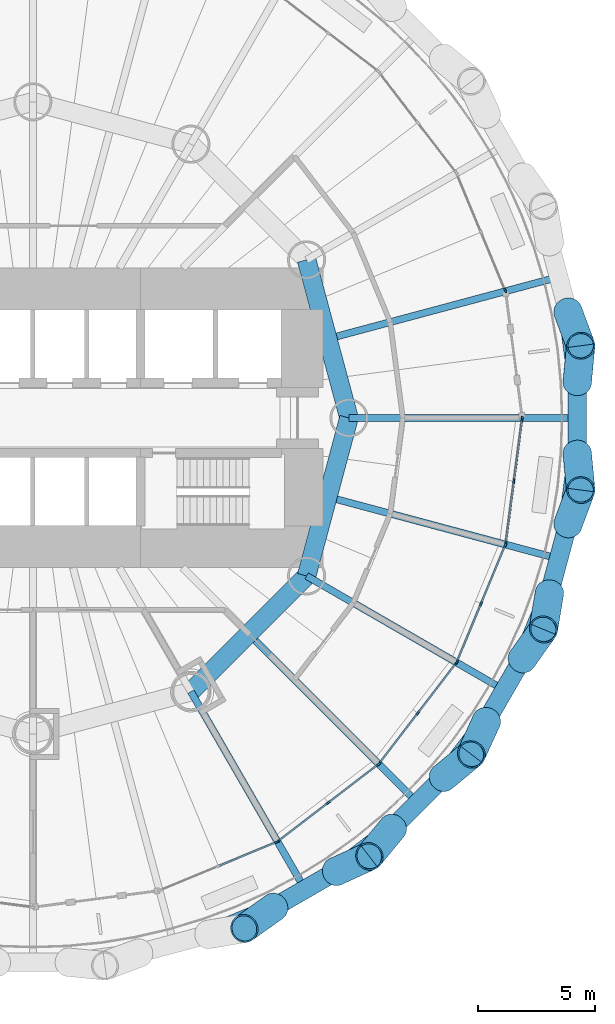
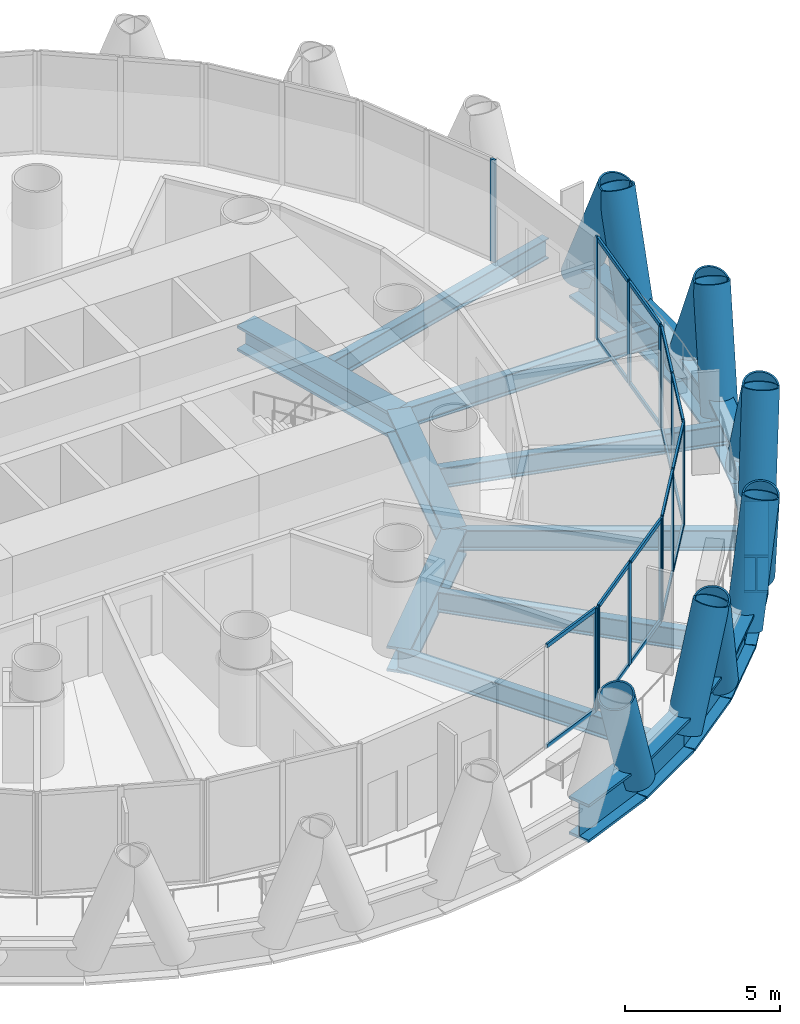
# One storey, part 4 of 15: 43 members, 20 beams, 6 elements without a shape of their own.
"""IFC4 building model written with IfcOpenShell, lengths in metres."""

from ifc_helpers import new_model, si_unit, direction, frame, origin, origin_2d, place, context, subcontext, project, spatial, rectangle, hollow_circle, i_section, extrude, material, material_profile, profile_set, type_object, element, aggregate, save


model = new_model("IFC4")

# Units and contexts
model_context = context("Model", 3, precision=1e-05, world=origin(), true_north=direction((0.0, 1.0)))
body_context = subcontext(model_context, "Body", "Model", "MODEL_VIEW")
ifc_project = project(units=[si_unit("LENGTHUNIT", "METRE"), si_unit("AREAUNIT", "SQUARE_METRE"), si_unit("VOLUMEUNIT", "CUBIC_METRE"), si_unit("PLANEANGLEUNIT", "RADIAN"), si_unit("MASSUNIT", "GRAM", prefix="KILO")], contexts=[model_context])

# Site, building, storey
site_placement = place(None, origin())
site = spatial("IfcSite", under=ifc_project, at=site_placement, CompositionType="ELEMENT")
building_placement = place(site_placement, origin())
building = spatial("IfcBuilding", under=site, at=building_placement, Name="Qaws Media Tower", CompositionType="ELEMENT")
storey_placement = place(building_placement, frame((0.0, 0.0, 30.199951171875)))
storey = spatial("IfcBuildingStorey", under=building, at=storey_placement, Name="L05", CompositionType="ELEMENT", Elevation=30.199951171875)

# Curtain wall, member
ifc_material_1 = material(Name="Aluminium and clear glass", Category="aluminium")
curtain_wall_type = type_object("IfcCurtainWallType", Name="Unitised curtain wall CW-A", PredefinedType="NOTDEFINED", material=ifc_material_1)
curtain_wall_1_placement = place(storey_placement, origin())
curtain_wall_1 = element("IfcCurtainWall", 1, at=curtain_wall_1_placement, inside=storey, type_object=curtain_wall_type, Name="CWA curtain wall L05-02", PredefinedType="NOTDEFINED")
ifc_material_2 = material(Name="Aluminium mullion", Category="aluminium")
ifc_material_profile_1 = material_profile(ifc_material_2, rectangle(XDim=0.080078125, YDim=0.199951171875, at=origin_2d()), Name="80x200")
ifc_profile_set_1 = profile_set([ifc_material_profile_1], Name="Aluminium mullion")
member_type_1 = type_object("IfcMemberType", Name="Curtain wall mullion 80x200", PredefinedType="MULLION", material=ifc_profile_set_1)
member_1_placement = place(storey_placement, frame((80.172607421875, 55.4462890625, 0.0), z_axis=(0.0, 0.0, 1.0), x_axis=(-0.92387952266, -0.382683456149, 0.0)))
member_1 = element("IfcMember", 2, at=member_1_placement, type_object=member_type_1, Name="CWA mullion 1", PredefinedType="MULLION", context=body_context, shape_type="SweptSolid", body=[
    extrude(rectangle(XDim=0.080078125, YDim=0.199951171875, at=origin_2d()), origin(), (0.0, 0.0, 1.0), 4.0400390625),
])
aggregate(curtain_wall_1, [member_1])

curtain_wall_2_placement = place(storey_placement, origin())
curtain_wall_2 = element("IfcCurtainWall", 3, at=curtain_wall_2_placement, inside=storey, type_object=curtain_wall_type, Name="CWA curtain wall L05-20", PredefinedType="NOTDEFINED")
member_2_placement = place(storey_placement, frame((70.4130859375, 31.884765625, 0.0), z_axis=(0.0, 0.0, 1.0), x_axis=(-0.382683456149, 0.92387952266, 0.0)))
member_2 = element("IfcMember", 4, at=member_2_placement, type_object=member_type_1, Name="CWA mullion 3", PredefinedType="MULLION", context=body_context, shape_type="SweptSolid", body=[
    extrude(rectangle(XDim=0.080078125, YDim=0.199951171875, at=origin_2d()), origin(), (0.0, 0.0, 1.0), 4.0400390625),
])

# Curtain wall, members
curtain_wall_3_placement = place(storey_placement, origin())
curtain_wall_3 = element("IfcCurtainWall", 5, at=curtain_wall_3_placement, inside=storey, type_object=curtain_wall_type, Name="CWA curtain wall L05-21", PredefinedType="NOTDEFINED")
member_3_placement = place(storey_placement, frame((70.481689453125, 31.92431640625, 0.0), z_axis=(0.0, 0.0, 1.0), x_axis=(-0.608761380338, 0.793353377638, 0.0)))
member_3 = element("IfcMember", 6, at=member_3_placement, type_object=member_type_1, Name="CWA mullion 1", PredefinedType="MULLION", context=body_context, shape_type="SweptSolid", body=[
    extrude(rectangle(XDim=0.080078125, YDim=0.199951171875, at=origin_2d()), origin(), (0.0, 0.0, 1.0), 4.0400390625),
])
member_4_placement = place(storey_placement, frame((72.6142578125, 33.560791015625, 0.0), z_axis=(0.0, 0.0, 1.0), x_axis=(-0.608761380338, 0.793353377638, 0.0)))
member_4 = element("IfcMember", 7, at=member_4_placement, type_object=member_type_1, Name="CWA mullion 2", PredefinedType="MULLION", context=body_context, shape_type="SweptSolid", body=[
    extrude(rectangle(XDim=0.080078125, YDim=0.199951171875, at=origin_2d()), origin(), (0.0, 0.0, 1.0), 4.0400390625),
])
member_5_placement = place(storey_placement, frame((74.746826171875, 35.197021484375, 0.0), z_axis=(0.0, 0.0, 1.0), x_axis=(-0.608761380338, 0.793353377638, 0.0)))
member_5 = element("IfcMember", 8, at=member_5_placement, type_object=member_type_1, Name="CWA mullion 3", PredefinedType="MULLION", context=body_context, shape_type="SweptSolid", body=[
    extrude(rectangle(XDim=0.080078125, YDim=0.199951171875, at=origin_2d()), origin(), (0.0, 0.0, 1.0), 4.0400390625),
])

curtain_wall_4_placement = place(storey_placement, origin())
curtain_wall_4 = element("IfcCurtainWall", 9, at=curtain_wall_4_placement, inside=storey, type_object=curtain_wall_type, Name="CWA curtain wall L05-22", PredefinedType="NOTDEFINED")
member_6_placement = place(storey_placement, frame((74.802978515625, 35.253173828125, 0.0), z_axis=(0.0, 0.0, 1.0), x_axis=(-0.793353377638, 0.608761380338, 0.0)))
member_6 = element("IfcMember", 10, at=member_6_placement, type_object=member_type_1, Name="CWA mullion 1", PredefinedType="MULLION", context=body_context, shape_type="SweptSolid", body=[
    extrude(rectangle(XDim=0.080078125, YDim=0.199951171875, at=origin_2d()), origin(), (0.0, 0.0, 1.0), 4.0400390625),
])
member_7_placement = place(storey_placement, frame((76.439208984375, 37.3857421875, 0.0), z_axis=(0.0, 0.0, 1.0), x_axis=(-0.793353377638, 0.608761380338, 0.0)))
member_7 = element("IfcMember", 11, at=member_7_placement, type_object=member_type_1, Name="CWA mullion 2", PredefinedType="MULLION", context=body_context, shape_type="SweptSolid", body=[
    extrude(rectangle(XDim=0.080078125, YDim=0.199951171875, at=origin_2d()), origin(), (0.0, 0.0, 1.0), 4.0400390625),
])
member_8_placement = place(storey_placement, frame((78.07568359375, 39.518310546875, 0.0), z_axis=(0.0, 0.0, 1.0), x_axis=(-0.793353377638, 0.608761380338, 0.0)))
member_8 = element("IfcMember", 12, at=member_8_placement, type_object=member_type_1, Name="CWA mullion 3", PredefinedType="MULLION", context=body_context, shape_type="SweptSolid", body=[
    extrude(rectangle(XDim=0.080078125, YDim=0.199951171875, at=origin_2d()), origin(), (0.0, 0.0, 1.0), 4.0400390625),
])

curtain_wall_5_placement = place(storey_placement, origin())
curtain_wall_5 = element("IfcCurtainWall", 13, at=curtain_wall_5_placement, inside=storey, type_object=curtain_wall_type, Name="CWA curtain wall L05-23", PredefinedType="NOTDEFINED")
member_9_placement = place(storey_placement, frame((78.115234375, 39.5869140625, 0.0), z_axis=(0.0, 0.0, 1.0), x_axis=(-0.92387952266, 0.382683456149, 0.0)))
member_9 = element("IfcMember", 14, at=member_9_placement, type_object=member_type_1, Name="CWA mullion 1", PredefinedType="MULLION", context=body_context, shape_type="SweptSolid", body=[
    extrude(rectangle(XDim=0.080078125, YDim=0.199951171875, at=origin_2d()), origin(), (0.0, 0.0, 1.0), 4.0400390625),
])
member_10_placement = place(storey_placement, frame((79.143798828125, 42.0703125, 0.0), z_axis=(0.0, 0.0, 1.0), x_axis=(-0.92387952266, 0.382683456149, 0.0)))
member_10 = element("IfcMember", 15, at=member_10_placement, type_object=member_type_1, Name="CWA mullion 2", PredefinedType="MULLION", context=body_context, shape_type="SweptSolid", body=[
    extrude(rectangle(XDim=0.080078125, YDim=0.199951171875, at=origin_2d()), origin(), (0.0, 0.0, 1.0), 4.0400390625),
])
member_11_placement = place(storey_placement, frame((80.172607421875, 44.5537109375, 0.0), z_axis=(0.0, 0.0, 1.0), x_axis=(-0.92387952266, 0.382683456149, 0.0)))
member_11 = element("IfcMember", 16, at=member_11_placement, type_object=member_type_1, Name="CWA mullion 3", PredefinedType="MULLION", context=body_context, shape_type="SweptSolid", body=[
    extrude(rectangle(XDim=0.080078125, YDim=0.199951171875, at=origin_2d()), origin(), (0.0, 0.0, 1.0), 4.0400390625),
])

curtain_wall_6_placement = place(storey_placement, origin())
curtain_wall_6 = element("IfcCurtainWall", 17, at=curtain_wall_6_placement, inside=storey, type_object=curtain_wall_type, Name="CWA curtain wall L05-24", PredefinedType="NOTDEFINED")
member_12_placement = place(storey_placement, frame((80.193115234375, 44.63037109375, 0.0), z_axis=(0.0, 0.0, 1.0), x_axis=(-0.991444866709, 0.130526151694, 0.0)))
member_12 = element("IfcMember", 18, at=member_12_placement, type_object=member_type_1, Name="CWA mullion 1", PredefinedType="MULLION", context=body_context, shape_type="SweptSolid", body=[
    extrude(rectangle(XDim=0.080078125, YDim=0.199951171875, at=origin_2d()), origin(), (0.0, 0.0, 1.0), 4.0400390625),
])
member_13_placement = place(storey_placement, frame((80.5439453125, 47.29541015625, 0.0), z_axis=(0.0, 0.0, 1.0), x_axis=(-0.991444866709, 0.130526151694, 0.0)))
member_13 = element("IfcMember", 19, at=member_13_placement, type_object=member_type_1, Name="CWA mullion 2", PredefinedType="MULLION", context=body_context, shape_type="SweptSolid", body=[
    extrude(rectangle(XDim=0.080078125, YDim=0.199951171875, at=origin_2d()), origin(), (0.0, 0.0, 1.0), 4.0400390625),
])
member_14_placement = place(storey_placement, frame((80.894775390625, 49.96044921875, 0.0), z_axis=(0.0, 0.0, 1.0), x_axis=(-0.991444866709, 0.130526151694, 0.0)))
member_14 = element("IfcMember", 20, at=member_14_placement, type_object=member_type_1, Name="CWA mullion 3", PredefinedType="MULLION", context=body_context, shape_type="SweptSolid", body=[
    extrude(rectangle(XDim=0.080078125, YDim=0.199951171875, at=origin_2d()), origin(), (0.0, 0.0, 1.0), 4.0400390625),
])

# Member
ifc_material_3 = material(Name="Aluminium transom", Category="aluminium")
ifc_material_profile_2 = material_profile(ifc_material_3, rectangle(XDim=0.080078125, YDim=0.159912109375, at=origin_2d()), Name="80x160")
ifc_profile_set_2 = profile_set([ifc_material_profile_2], Name="Aluminium transom")
member_type_2 = type_object("IfcMemberType", Name="Curtain wall transom 80x160", PredefinedType="USERDEFINED", material=ifc_profile_set_2)
member_15_placement = place(storey_placement, frame((67.966552734375, 30.871337890625, 0.0400390625), z_axis=(0.923875350489, 0.382693528503, 0.0), x_axis=(-0.382693528503, 0.923875350489, 0.0)))
member_15 = element("IfcMember", 21, at=member_15_placement, type_object=member_type_2, Name="CWA transom 2.1", ObjectType="TRANSOM", PredefinedType="USERDEFINED", context=body_context, shape_type="SweptSolid", body=[
    extrude(rectangle(XDim=0.080078125, YDim=0.159912109375, at=origin_2d()), origin(), (0.0, 0.0, 1.0), 2.60791015625),
])

member_16_placement = place(storey_placement, frame((67.966552734375, 30.871337890625, 4.0), z_axis=(0.923875350489, 0.382693528503, 0.0), x_axis=(-0.382693528503, 0.923875350489, 0.0)))
member_16 = element("IfcMember", 22, at=member_16_placement, type_object=member_type_2, Name="CWA transom 2.2", ObjectType="TRANSOM", PredefinedType="USERDEFINED", context=body_context, shape_type="SweptSolid", body=[
    extrude(rectangle(XDim=0.080078125, YDim=0.159912109375, at=origin_2d()), origin(), (0.0, 0.0, 1.0), 2.60791015625),
])

aggregate(curtain_wall_2, [member_2, member_15, member_16])

member_17_placement = place(storey_placement, frame((70.513427734375, 31.94873046875, 0.0400390625), z_axis=(0.793357690605, 0.608755759528, 0.0), x_axis=(-0.608755759528, 0.793357690605, 0.0)))
member_17 = element("IfcMember", 23, at=member_17_placement, type_object=member_type_2, Name="CWA transom 1.1", ObjectType="TRANSOM", PredefinedType="USERDEFINED", context=body_context, shape_type="SweptSolid", body=[
    extrude(rectangle(XDim=0.080078125, YDim=0.159912109375, at=origin_2d()), origin(), (0.0, 0.0, 1.0), 2.60791015625),
])

member_18_placement = place(storey_placement, frame((70.513427734375, 31.94873046875, 4.0), z_axis=(0.793357690605, 0.608755759528, 0.0), x_axis=(-0.608755759528, 0.793357690605, 0.0)))
member_18 = element("IfcMember", 24, at=member_18_placement, type_object=member_type_2, Name="CWA transom 1.2", ObjectType="TRANSOM", PredefinedType="USERDEFINED", context=body_context, shape_type="SweptSolid", body=[
    extrude(rectangle(XDim=0.080078125, YDim=0.159912109375, at=origin_2d()), origin(), (0.0, 0.0, 1.0), 2.60791015625),
])

member_19_placement = place(storey_placement, frame((72.64599609375, 33.585205078125, 0.0400390625), z_axis=(0.793357690605, 0.608755759528, 0.0), x_axis=(-0.608755759528, 0.793357690605, 0.0)))
member_19 = element("IfcMember", 25, at=member_19_placement, type_object=member_type_2, Name="CWA transom 2.1", ObjectType="TRANSOM", PredefinedType="USERDEFINED", context=body_context, shape_type="SweptSolid", body=[
    extrude(rectangle(XDim=0.080078125, YDim=0.159912109375, at=origin_2d()), origin(), (0.0, 0.0, 1.0), 2.60791015625),
])

member_20_placement = place(storey_placement, frame((72.64599609375, 33.585205078125, 4.0), z_axis=(0.793357690605, 0.608755759528, 0.0), x_axis=(-0.608755759528, 0.793357690605, 0.0)))
member_20 = element("IfcMember", 26, at=member_20_placement, type_object=member_type_2, Name="CWA transom 2.2", ObjectType="TRANSOM", PredefinedType="USERDEFINED", context=body_context, shape_type="SweptSolid", body=[
    extrude(rectangle(XDim=0.080078125, YDim=0.159912109375, at=origin_2d()), origin(), (0.0, 0.0, 1.0), 2.60791015625),
])

aggregate(curtain_wall_3, [member_3, member_4, member_5, member_17, member_18, member_19, member_20])

member_21_placement = place(storey_placement, frame((74.8271484375, 35.284912109375, 0.0400390625), z_axis=(0.608755759528, 0.793357690605, 0.0), x_axis=(-0.793357690605, 0.608755759528, 0.0)))
member_21 = element("IfcMember", 27, at=member_21_placement, type_object=member_type_2, Name="CWA transom 1.1", ObjectType="TRANSOM", PredefinedType="USERDEFINED", context=body_context, shape_type="SweptSolid", body=[
    extrude(rectangle(XDim=0.080078125, YDim=0.159912109375, at=origin_2d()), origin(), (0.0, 0.0, 1.0), 2.60791015625),
])

member_22_placement = place(storey_placement, frame((74.8271484375, 35.284912109375, 4.0), z_axis=(0.608755759528, 0.793357690605, 0.0), x_axis=(-0.793357690605, 0.608755759528, 0.0)))
member_22 = element("IfcMember", 28, at=member_22_placement, type_object=member_type_2, Name="CWA transom 1.2", ObjectType="TRANSOM", PredefinedType="USERDEFINED", context=body_context, shape_type="SweptSolid", body=[
    extrude(rectangle(XDim=0.080078125, YDim=0.159912109375, at=origin_2d()), origin(), (0.0, 0.0, 1.0), 2.60791015625),
])

member_23_placement = place(storey_placement, frame((76.463623046875, 37.41748046875, 0.0400390625), z_axis=(0.608755759528, 0.793357690605, 0.0), x_axis=(-0.793357690605, 0.608755759528, 0.0)))
member_23 = element("IfcMember", 29, at=member_23_placement, type_object=member_type_2, Name="CWA transom 2.1", ObjectType="TRANSOM", PredefinedType="USERDEFINED", context=body_context, shape_type="SweptSolid", body=[
    extrude(rectangle(XDim=0.080078125, YDim=0.159912109375, at=origin_2d()), origin(), (0.0, 0.0, 1.0), 2.60791015625),
])

member_24_placement = place(storey_placement, frame((76.463623046875, 37.41748046875, 4.0), z_axis=(0.608755759528, 0.793357690605, 0.0), x_axis=(-0.793357690605, 0.608755759528, 0.0)))
member_24 = element("IfcMember", 30, at=member_24_placement, type_object=member_type_2, Name="CWA transom 2.2", ObjectType="TRANSOM", PredefinedType="USERDEFINED", context=body_context, shape_type="SweptSolid", body=[
    extrude(rectangle(XDim=0.080078125, YDim=0.159912109375, at=origin_2d()), origin(), (0.0, 0.0, 1.0), 2.60791015625),
])

aggregate(curtain_wall_4, [member_6, member_7, member_8, member_21, member_22, member_23, member_24])

member_25_placement = place(storey_placement, frame((78.130615234375, 39.6240234375, 0.0400390625), z_axis=(0.382693528503, 0.923875350489, 0.0), x_axis=(-0.923875350489, 0.382693528503, 0.0)))
member_25 = element("IfcMember", 31, at=member_25_placement, type_object=member_type_2, Name="CWA transom 1.1", ObjectType="TRANSOM", PredefinedType="USERDEFINED", context=body_context, shape_type="SweptSolid", body=[
    extrude(rectangle(XDim=0.080078125, YDim=0.159912109375, at=origin_2d()), origin(), (0.0, 0.0, 1.0), 2.60791015625),
])

member_26_placement = place(storey_placement, frame((78.130615234375, 39.6240234375, 4.0), z_axis=(0.382693528503, 0.923875350489, 0.0), x_axis=(-0.923875350489, 0.382693528503, 0.0)))
member_26 = element("IfcMember", 32, at=member_26_placement, type_object=member_type_2, Name="CWA transom 1.2", ObjectType="TRANSOM", PredefinedType="USERDEFINED", context=body_context, shape_type="SweptSolid", body=[
    extrude(rectangle(XDim=0.080078125, YDim=0.159912109375, at=origin_2d()), origin(), (0.0, 0.0, 1.0), 2.60791015625),
])

member_27_placement = place(storey_placement, frame((79.1591796875, 42.107177734375, 0.0400390625), z_axis=(0.382660432893, 0.923889058869, 0.0), x_axis=(-0.923889058869, 0.382660432893, 0.0)))
member_27 = element("IfcMember", 33, at=member_27_placement, type_object=member_type_2, Name="CWA transom 2.1", ObjectType="TRANSOM", PredefinedType="USERDEFINED", context=body_context, shape_type="SweptSolid", body=[
    extrude(rectangle(XDim=0.080078125, YDim=0.159912109375, at=origin_2d()), origin(), (0.0, 0.0, 1.0), 2.608154296875),
])

member_28_placement = place(storey_placement, frame((79.1591796875, 42.107177734375, 4.0), z_axis=(0.382660432893, 0.923889058869, 0.0), x_axis=(-0.923889058869, 0.382660432893, 0.0)))
member_28 = element("IfcMember", 34, at=member_28_placement, type_object=member_type_2, Name="CWA transom 2.2", ObjectType="TRANSOM", PredefinedType="USERDEFINED", context=body_context, shape_type="SweptSolid", body=[
    extrude(rectangle(XDim=0.080078125, YDim=0.159912109375, at=origin_2d()), origin(), (0.0, 0.0, 1.0), 2.608154296875),
])

aggregate(curtain_wall_5, [member_9, member_10, member_11, member_25, member_26, member_27, member_28])

member_29_placement = place(storey_placement, frame((80.1982421875, 44.669921875, 0.0400390625), z_axis=(0.130587695544, 0.991436762367, 0.0), x_axis=(-0.991436762367, 0.130587695544, 0.0)))
member_29 = element("IfcMember", 35, at=member_29_placement, type_object=member_type_2, Name="CWA transom 1.1", ObjectType="TRANSOM", PredefinedType="USERDEFINED", context=body_context, shape_type="SweptSolid", body=[
    extrude(rectangle(XDim=0.080078125, YDim=0.159912109375, at=origin_2d()), origin(), (0.0, 0.0, 1.0), 2.60791015625),
])

member_30_placement = place(storey_placement, frame((80.1982421875, 44.669921875, 4.0), z_axis=(0.130587695544, 0.991436762367, 0.0), x_axis=(-0.991436762367, 0.130587695544, 0.0)))
member_30 = element("IfcMember", 36, at=member_30_placement, type_object=member_type_2, Name="CWA transom 1.2", ObjectType="TRANSOM", PredefinedType="USERDEFINED", context=body_context, shape_type="SweptSolid", body=[
    extrude(rectangle(XDim=0.080078125, YDim=0.159912109375, at=origin_2d()), origin(), (0.0, 0.0, 1.0), 2.60791015625),
])

member_31_placement = place(storey_placement, frame((80.549072265625, 47.3349609375, 0.0400390625), z_axis=(0.130587695544, 0.991436762367, 0.0), x_axis=(-0.991436762367, 0.130587695544, 0.0)))
member_31 = element("IfcMember", 37, at=member_31_placement, type_object=member_type_2, Name="CWA transom 2.1", ObjectType="TRANSOM", PredefinedType="USERDEFINED", context=body_context, shape_type="SweptSolid", body=[
    extrude(rectangle(XDim=0.080078125, YDim=0.159912109375, at=origin_2d()), origin(), (0.0, 0.0, 1.0), 2.60791015625),
])

member_32_placement = place(storey_placement, frame((80.549072265625, 47.3349609375, 4.0), z_axis=(0.130587695544, 0.991436762367, 0.0), x_axis=(-0.991436762367, 0.130587695544, 0.0)))
member_32 = element("IfcMember", 38, at=member_32_placement, type_object=member_type_2, Name="CWA transom 2.2", ObjectType="TRANSOM", PredefinedType="USERDEFINED", context=body_context, shape_type="SweptSolid", body=[
    extrude(rectangle(XDim=0.080078125, YDim=0.159912109375, at=origin_2d()), origin(), (0.0, 0.0, 1.0), 2.60791015625),
])

aggregate(curtain_wall_6, [member_12, member_13, member_14, member_29, member_30, member_31, member_32])

# Members
ifc_material_4 = material(Name="Steel S460", Category="steel")
ifc_material_profile_3 = material_profile(ifc_material_4, hollow_circle(Radius=0.609619140625, WallThickness=0.06005859375, at=origin_2d()), Name="CHS 1219x60")
ifc_profile_set_3 = profile_set([ifc_material_profile_3], Name="Steel S460")
member_type_3 = type_object("IfcMemberType", Name="Diagrid member CHS 1219x60", PredefinedType="USERDEFINED", material=ifc_profile_set_3)
for number, where, z_axis, x_axis, name in (
    (39, (83.25, 51.52392578125, -0.909912109375), (0.03306773811, 0.347292966152, 0.937173473994), (-0.995497577829, 0.094786985058, 0.0), "DG1 diagrid L05 A01"),
    (40, (83.25, 48.47607421875, -0.909912109375), (0.03306773811, -0.347292966152, 0.937173473994), (0.995497577829, 0.094786985058, 0.0), "DG1 diagrid L05 B01"),
):
    element("IfcMember", number, at=place(storey_placement, frame(where, z_axis=z_axis, x_axis=x_axis)), inside=storey, type_object=member_type_3, Name=name, ObjectType="DIAGRID", PredefinedType="USERDEFINED", context=body_context, shape_type="SweptSolid", body=[
        extrude(hollow_circle(Radius=0.609619140625, WallThickness=0.06005859375, at=origin_2d()), origin(), (0.0, 0.0, 1.0), 4.4814453125),
    ])
member_33_placement = place(storey_placement, frame((82.852294921875, 54.545654296875, -0.909912109375), z_axis=(0.121808661832, -0.326965826616, 0.937153134834), x_axis=(0.937084117818, 0.349103646691, 0.0)))
element("IfcMember", 41, at=member_33_placement, inside=storey, type_object=member_type_3, Name="DG1 diagrid L05 B02", ObjectType="DIAGRID", PredefinedType="USERDEFINED", context=body_context, shape_type="SweptSolid", body=[
    extrude(hollow_circle(Radius=0.609619140625, WallThickness=0.06005859375, at=origin_2d()), origin(), (0.0, 0.0, 1.0), 4.481689453125),
])
for number, where, z_axis, x_axis, name in (
    (42, (72.94482421875, 30.626708984375, -0.909912109375), (0.317275265863, 0.145072807863, 0.937171428337), (-0.41583725569, 0.909439045115, 0.0), "DG1 diagrid L05 A21"),
    (43, (70.305419921875, 29.102783203125, -0.909912109375), (-0.284313871152, -0.202217491802, 0.93716258391), (0.579597527467, -0.814902881425, 0.0), "DG1 diagrid L05 B21"),
):
    element("IfcMember", number, at=place(storey_placement, frame(where, z_axis=z_axis, x_axis=x_axis)), inside=storey, type_object=member_type_3, Name=name, ObjectType="DIAGRID", PredefinedType="USERDEFINED", context=body_context, shape_type="SweptSolid", body=[
        extrude(hollow_circle(Radius=0.609619140625, WallThickness=0.06005859375, at=origin_2d()), origin(), (0.0, 0.0, 1.0), 4.4814453125),
    ])
for number, where, z_axis, x_axis, name in (
    (44, (77.517822265625, 34.63720703125, -0.909912109375), (0.268950060745, 0.222263773109, 0.937157766861), (-0.637030728168, 0.770838408079, 0.0), "DG1 diagrid L05 A22"),
    (45, (75.36279296875, 32.482177734375, -0.909912109375), (-0.222263773109, -0.268950060745, 0.937157766861), (0.770838408079, -0.637030728168, 0.0), "DG1 diagrid L05 B22"),
):
    element("IfcMember", number, at=place(storey_placement, frame(where, z_axis=z_axis, x_axis=x_axis)), inside=storey, type_object=member_type_3, Name=name, ObjectType="DIAGRID", PredefinedType="USERDEFINED", context=body_context, shape_type="SweptSolid", body=[
        extrude(hollow_circle(Radius=0.609619140625, WallThickness=0.06005859375, at=origin_2d()), origin(), (0.0, 0.0, 1.0), 4.481689453125),
    ])
for number, where, z_axis, x_axis, name in (
    (46, (80.897216796875, 39.694580078125, -0.909912109375), (0.202217491802, 0.284313871152, 0.93716258391), (-0.814902881425, 0.579597527467, 0.0), "DG1 diagrid L05 A23"),
    (47, (79.373291015625, 37.05517578125, -0.909912109375), (-0.145072807863, -0.317275265863, 0.937171428337), (0.909439045115, -0.41583725569, 0.0), "DG1 diagrid L05 B23"),
):
    element("IfcMember", number, at=place(storey_placement, frame(where, z_axis=z_axis, x_axis=x_axis)), inside=storey, type_object=member_type_3, Name=name, ObjectType="DIAGRID", PredefinedType="USERDEFINED", context=body_context, shape_type="SweptSolid", body=[
        extrude(hollow_circle(Radius=0.609619140625, WallThickness=0.06005859375, at=origin_2d()), origin(), (0.0, 0.0, 1.0), 4.4814453125),
    ])
member_34_placement = place(storey_placement, frame((82.852294921875, 45.454345703125, -0.909912109375), z_axis=(0.121808661832, 0.326965826616, 0.937153134834), x_axis=(-0.937084117818, 0.349103646691, 0.0)))
element("IfcMember", 48, at=member_34_placement, inside=storey, type_object=member_type_3, Name="DG1 diagrid L05 A24", ObjectType="DIAGRID", PredefinedType="USERDEFINED", context=body_context, shape_type="SweptSolid", body=[
    extrude(hollow_circle(Radius=0.609619140625, WallThickness=0.06005859375, at=origin_2d()), origin(), (0.0, 0.0, 1.0), 4.481689453125),
])
member_35_placement = place(storey_placement, frame((82.0634765625, 42.510498046875, -0.909912109375), z_axis=(-0.058017977607, -0.34402209257, 0.937167388516), x_axis=(0.986075579143, -0.166297781756, 0.0)))
element("IfcMember", 49, at=member_35_placement, inside=storey, type_object=member_type_3, Name="DG1 diagrid L05 B24", ObjectType="DIAGRID", PredefinedType="USERDEFINED", context=body_context, shape_type="SweptSolid", body=[
    extrude(hollow_circle(Radius=0.609619140625, WallThickness=0.06005859375, at=origin_2d()), origin(), (0.0, 0.0, 1.0), 4.4814453125),
])

# Beams
ifc_material_5 = material(Name="Steel S460", Category="steel")
ifc_material_profile_4 = material_profile(ifc_material_5, i_section(OverallWidth=0.800048828125, OverallDepth=1.5, WebThickness=0.0400390625, FlangeThickness=0.10009765625, at=origin_2d()), Name="PG 1500x800")
ifc_profile_set_4 = profile_set([ifc_material_profile_4], Name="Steel S460")
beam_type_1 = type_object("IfcBeamType", Name="Edge ring beam PG 1500x800", PredefinedType="BEAM", material=ifc_profile_set_4)
for number, where, z_axis, x_axis, name in (
    (50, (83.25, 51.52392578125, -0.909912109375), (-0.130489738706, 0.991449659888, 0.0), (-0.991449659888, -0.130489738706, 0.0), "RB7 edge ring beam L05-01"),
    (51, (67.489501953125, 27.9365234375, -0.909912109375), (0.923894802877, 0.382646564361, 0.0), (-0.382646564361, 0.923894802877, 0.0), "RB7 edge ring beam L05-39"),
    (52, (70.305419921875, 29.102783203125, -0.909912109375), (0.866016168704, 0.500015995287, 0.0), (-0.500015995287, 0.866016168704, 0.0), "RB7 edge ring beam L05-40"),
    (53, (72.94482421875, 30.626708984375, -0.909912109375), (0.793338116406, 0.608781268648, 0.0), (-0.608781268648, 0.793338116406, 0.0), "RB7 edge ring beam L05-41"),
):
    element("IfcBeam", number, at=place(storey_placement, frame(where, z_axis=z_axis, x_axis=x_axis)), inside=storey, type_object=beam_type_1, Name=name, PredefinedType="BEAM", context=body_context, shape_type="SweptSolid", body=[
        extrude(i_section(OverallWidth=0.800048828125, OverallDepth=1.5, WebThickness=0.0400390625, FlangeThickness=0.10009765625, at=origin_2d()), origin(), (0.0, 0.0, 1.0), 3.0478515625),
    ])
beam_1_placement = place(storey_placement, frame((75.36279296875, 32.482177734375, -0.909912109375), z_axis=(0.707106781187, 0.707106781187, 0.0), x_axis=(-0.707106781187, 0.707106781187, 0.0)))
element("IfcBeam", 54, at=beam_1_placement, inside=storey, type_object=beam_type_1, Name="RB7 edge ring beam L05-42", PredefinedType="BEAM", context=body_context, shape_type="SweptSolid", body=[
    extrude(i_section(OverallWidth=0.800048828125, OverallDepth=1.5, WebThickness=0.0400390625, FlangeThickness=0.10009765625, at=origin_2d()), origin(), (0.0, 0.0, 1.0), 3.047607421875),
])
for number, where, z_axis, x_axis, name in (
    (55, (77.517822265625, 34.63720703125, -0.909912109375), (0.608781268648, 0.793338116406, 0.0), (-0.793338116406, 0.608781268648, 0.0), "RB7 edge ring beam L05-43"),
    (56, (79.373291015625, 37.05517578125, -0.909912109375), (0.500015995287, 0.866016168704, 0.0), (-0.866016168704, 0.500015995287, 0.0), "RB7 edge ring beam L05-44"),
    (57, (80.897216796875, 39.694580078125, -0.909912109375), (0.382646564361, 0.923894802877, 0.0), (-0.923894802877, 0.382646564361, 0.0), "RB7 edge ring beam L05-45"),
):
    element("IfcBeam", number, at=place(storey_placement, frame(where, z_axis=z_axis, x_axis=x_axis)), inside=storey, type_object=beam_type_1, Name=name, PredefinedType="BEAM", context=body_context, shape_type="SweptSolid", body=[
        extrude(i_section(OverallWidth=0.800048828125, OverallDepth=1.5, WebThickness=0.0400390625, FlangeThickness=0.10009765625, at=origin_2d()), origin(), (0.0, 0.0, 1.0), 3.0478515625),
    ])
beam_2_placement = place(storey_placement, frame((82.0634765625, 42.510498046875, -0.909912109375), z_axis=(0.258824175106, 0.965924451694, 0.0), x_axis=(-0.965924451694, 0.258824175106, 0.0)))
element("IfcBeam", 58, at=beam_2_placement, inside=storey, type_object=beam_type_1, Name="RB7 edge ring beam L05-46", PredefinedType="BEAM", context=body_context, shape_type="SweptSolid", body=[
    extrude(i_section(OverallWidth=0.800048828125, OverallDepth=1.5, WebThickness=0.0400390625, FlangeThickness=0.10009765625, at=origin_2d()), origin(), (0.0, 0.0, 1.0), 3.047607421875),
])
for number, where, z_axis, x_axis, name in (
    (59, (82.852294921875, 45.454345703125, -0.909912109375), (0.130489738706, 0.991449659888, 0.0), (-0.991449659888, 0.130489738706, 0.0), "RB7 edge ring beam L05-47"),
    (60, (83.25, 48.47607421875, -0.909912109375), (0.0, 1.0, 0.0), (-1.0, 0.0, 0.0), "RB7 edge ring beam L05-48"),
):
    element("IfcBeam", number, at=place(storey_placement, frame(where, z_axis=z_axis, x_axis=x_axis)), inside=storey, type_object=beam_type_1, Name=name, PredefinedType="BEAM", context=body_context, shape_type="SweptSolid", body=[
        extrude(i_section(OverallWidth=0.800048828125, OverallDepth=1.5, WebThickness=0.0400390625, FlangeThickness=0.10009765625, at=origin_2d()), origin(), (0.0, 0.0, 1.0), 3.0478515625),
    ])
ifc_material_6 = material(Name="Steel S460", Category="steel")
ifc_material_profile_5 = material_profile(ifc_material_6, i_section(OverallWidth=0.800048828125, OverallDepth=1.0, WebThickness=0.0400390625, FlangeThickness=0.10009765625, at=origin_2d()), Name="PG 1000x800")
ifc_profile_set_5 = profile_set([ifc_material_profile_5], Name="Steel S460")
beam_type_2 = type_object("IfcBeamType", Name="Inner ring girder PG 1000x800", PredefinedType="BEAM", material=ifc_profile_set_5)
beam_3_placement = place(storey_placement, frame((73.5, 50.0, -0.659912109375), z_axis=(-0.258810593767, 0.965928090778, 0.0), x_axis=(-0.965928090778, -0.258810593767, 0.0)))
element("IfcBeam", 61, at=beam_3_placement, inside=storey, type_object=beam_type_2, Name="B3 inner ring beam L05 I01-I02", PredefinedType="BEAM", context=body_context, shape_type="SweptSolid", body=[
    extrude(i_section(OverallWidth=0.800048828125, OverallDepth=1.0, WebThickness=0.0400390625, FlangeThickness=0.10009765625, at=origin_2d()), origin(), (0.0, 0.0, 1.0), 6.988037109375),
])
beam_4_placement = place(storey_placement, frame((66.75, 38.30859375, -0.659912109375), z_axis=(0.707106781187, 0.707106781187, 0.0), x_axis=(-0.707106781187, 0.707106781187, 0.0)))
element("IfcBeam", 62, at=beam_4_placement, inside=storey, type_object=beam_type_2, Name="B3 inner ring beam L05 I11-I12", PredefinedType="BEAM", context=body_context, shape_type="SweptSolid", body=[
    extrude(i_section(OverallWidth=0.800048828125, OverallDepth=1.0, WebThickness=0.0400390625, FlangeThickness=0.10009765625, at=origin_2d()), origin(), (0.0, 0.0, 1.0), 6.98828125),
])
beam_5_placement = place(storey_placement, frame((71.69140625, 43.25, -0.659912109375), z_axis=(0.258810593767, 0.965928090778, 0.0), x_axis=(-0.965928090778, 0.258810593767, 0.0)))
element("IfcBeam", 63, at=beam_5_placement, inside=storey, type_object=beam_type_2, Name="B3 inner ring beam L05 I12-I01", PredefinedType="BEAM", context=body_context, shape_type="SweptSolid", body=[
    extrude(i_section(OverallWidth=0.800048828125, OverallDepth=1.0, WebThickness=0.0400390625, FlangeThickness=0.10009765625, at=origin_2d()), origin(), (0.0, 0.0, 1.0), 6.988037109375),
])
ifc_material_7 = material(Name="Steel S355", Category="steel")
ifc_material_profile_6 = material_profile(ifc_material_7, i_section(OverallWidth=0.300048828125, OverallDepth=0.800048828125, WebThickness=0.017578125, FlangeThickness=0.032958984375, FilletRadius=0.030029296875, at=origin_2d()), Name="HE 800 B")
ifc_profile_set_6 = profile_set([ifc_material_profile_6], Name="Steel S355")
beam_type_3 = type_object("IfcBeamType", Name="Radial beam HE 800 B", PredefinedType="BEAM", material=ifc_profile_set_6)
beam_6_placement = place(storey_placement, frame((73.5, 50.0, -0.56005859375), z_axis=(1.0, 0.0, 0.0), x_axis=(0.0, 1.0, 0.0)))
element("IfcBeam", 64, at=beam_6_placement, inside=storey, type_object=beam_type_3, Name="B1 radial beam L05 01", PredefinedType="BEAM", context=body_context, shape_type="SweptSolid", body=[
    extrude(i_section(OverallWidth=0.300048828125, OverallDepth=0.800048828125, WebThickness=0.017578125, FlangeThickness=0.032958984375, FilletRadius=0.030029296875, at=origin_2d()), origin(), (0.0, 0.0, 1.0), 9.75),
])
beam_7_placement = place(storey_placement, frame((72.98193359375, 53.478515625, -0.56005859375), z_axis=(0.965925278817, 0.258821088287, 0.0), x_axis=(-0.258821088287, 0.965925278817, 0.0)))
element("IfcBeam", 65, at=beam_7_placement, inside=storey, type_object=beam_type_3, Name="B1 radial beam L05 02", PredefinedType="BEAM", context=body_context, shape_type="SweptSolid", body=[
    extrude(i_section(OverallWidth=0.300048828125, OverallDepth=0.800048828125, WebThickness=0.017578125, FlangeThickness=0.032958984375, FilletRadius=0.030029296875, at=origin_2d()), origin(), (0.0, 0.0, 1.0), 9.81005859375),
])
beam_8_placement = place(storey_placement, frame((66.75, 38.30859375, -0.56005859375), z_axis=(0.499995560238, -0.866027967067, 0.0), x_axis=(0.866027967067, 0.499995560238, 0.0)))
element("IfcBeam", 66, at=beam_8_placement, inside=storey, type_object=beam_type_3, Name="B1 radial beam L05 21", PredefinedType="BEAM", context=body_context, shape_type="SweptSolid", body=[
    extrude(i_section(OverallWidth=0.300048828125, OverallDepth=0.800048828125, WebThickness=0.017578125, FlangeThickness=0.032958984375, FilletRadius=0.030029296875, at=origin_2d()), origin(), (0.0, 0.0, 1.0), 9.75),
])
beam_9_placement = place(storey_placement, frame((69.50341796875, 40.49658203125, -0.56005859375), z_axis=(0.707106781187, -0.707106781187, 0.0), x_axis=(0.707106781187, 0.707106781187, 0.0)))
element("IfcBeam", 67, at=beam_9_placement, inside=storey, type_object=beam_type_3, Name="B1 radial beam L05 22", PredefinedType="BEAM", context=body_context, shape_type="SweptSolid", body=[
    extrude(i_section(OverallWidth=0.300048828125, OverallDepth=0.800048828125, WebThickness=0.017578125, FlangeThickness=0.032958984375, FilletRadius=0.030029296875, at=origin_2d()), origin(), (0.0, 0.0, 1.0), 9.810302734375),
])
beam_10_placement = place(storey_placement, frame((71.69140625, 43.25, -0.56005859375), z_axis=(0.866027967067, -0.499995560238, 0.0), x_axis=(0.499995560238, 0.866027967067, 0.0)))
element("IfcBeam", 68, at=beam_10_placement, inside=storey, type_object=beam_type_3, Name="B1 radial beam L05 23", PredefinedType="BEAM", context=body_context, shape_type="SweptSolid", body=[
    extrude(i_section(OverallWidth=0.300048828125, OverallDepth=0.800048828125, WebThickness=0.017578125, FlangeThickness=0.032958984375, FilletRadius=0.030029296875, at=origin_2d()), origin(), (0.0, 0.0, 1.0), 9.75),
])
beam_11_placement = place(storey_placement, frame((72.98193359375, 46.521484375, -0.56005859375), z_axis=(0.965925278817, -0.258821088287, 0.0), x_axis=(0.258821088287, 0.965925278817, 0.0)))
element("IfcBeam", 69, at=beam_11_placement, inside=storey, type_object=beam_type_3, Name="B1 radial beam L05 24", PredefinedType="BEAM", context=body_context, shape_type="SweptSolid", body=[
    extrude(i_section(OverallWidth=0.300048828125, OverallDepth=0.800048828125, WebThickness=0.017578125, FlangeThickness=0.032958984375, FilletRadius=0.030029296875, at=origin_2d()), origin(), (0.0, 0.0, 1.0), 9.81005859375),
])

save(model, "model.ifc")
